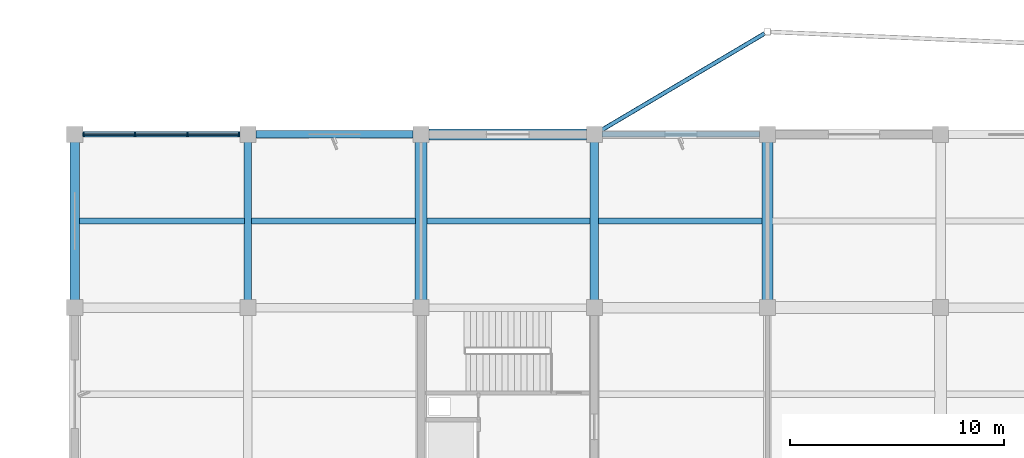
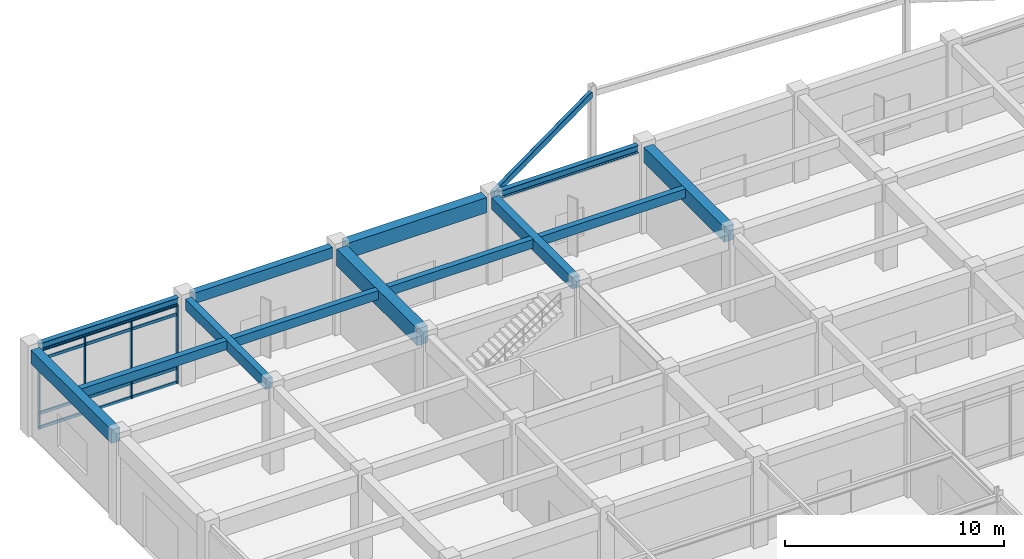
# One storey, part 45 of 99: 14 beams, 8 members, 1 element without a shape of its own.
"""IFC4 building model written with IfcOpenShell, lengths in metres."""

from ifc_helpers import new_model, si_unit, direction, frame, origin, origin_2d, place, context, subcontext, project, spatial, rectangle, hollow_rectangle, i_section, extrude, material, layer, layer_set, material_profile, profile_set, type_object, element, aggregate, save


model = new_model("IFC4")

# Units and contexts
model_context = context("Model", 3, precision=1e-05, world=origin(), true_north=direction((0.0, 1.0)))
body_context = subcontext(model_context, "Body", "Model", "MODEL_VIEW")
ifc_project = project(units=[si_unit("LENGTHUNIT", "METRE"), si_unit("AREAUNIT", "SQUARE_METRE"), si_unit("VOLUMEUNIT", "CUBIC_METRE"), si_unit("PLANEANGLEUNIT", "RADIAN"), si_unit("MASSUNIT", "GRAM", prefix="KILO")], contexts=[model_context])

# Site, building, storey
site_placement = place(None, origin())
site = spatial("IfcSite", under=ifc_project, at=site_placement, CompositionType="ELEMENT")
building_placement = place(site_placement, origin())
building = spatial("IfcBuilding", under=site, at=building_placement, Name="Vaudrelin Polytechnic", CompositionType="ELEMENT")
storey_placement = place(building_placement, origin())
storey = spatial("IfcBuildingStorey", under=building, at=storey_placement, Name="L00", CompositionType="ELEMENT", Elevation=0.0)

# Beams
ifc_material_1 = material(Name="Concrete 40 MPa", Category="concrete")
ifc_material_profile_1 = material_profile(ifc_material_1, rectangle(XDim=0.35009765625, YDim=0.60009765625, at=origin_2d()), Name="RC350x600")
ifc_profile_set_1 = profile_set([ifc_material_profile_1], Name="Concrete 40 MPa")
beam_type_1 = type_object("IfcBeamType", Name="BM-BM-RC3560", PredefinedType="BEAM", material=ifc_profile_set_1)
beam_1_placement = place(storey_placement, frame((8.10009765625, 113.760009765625, 4.52001953125), z_axis=(0.0, 1.0, 0.0), x_axis=(-1.0, 0.0, 0.0)))
element("IfcBeam", 1, at=beam_1_placement, inside=storey, type_object=beam_type_1, Name="L00 Y-beam 2-15", PredefinedType="BEAM", context=body_context, shape_type="SweptSolid", body=[
    extrude(rectangle(XDim=0.35009765625, YDim=0.60009765625, at=origin_2d()), origin(), (0.0, 0.0, 1.0), 7.3798828125),
])
beam_2_placement = place(storey_placement, frame((8.470947265625, 121.5, 4.52001953125), z_axis=(1.0, 0.0, 0.0), x_axis=(0.0, 1.0, 0.0)))
element("IfcBeam", 2, at=beam_2_placement, inside=storey, type_object=beam_type_1, Name="L00 X-beam 2-16", PredefinedType="BEAM", context=body_context, shape_type="SweptSolid", body=[
    extrude(rectangle(XDim=0.35009765625, YDim=0.60009765625, at=origin_2d()), origin(), (0.0, 0.0, 1.0), 7.358154296875),
])
ifc_material_profile_2 = material_profile(ifc_material_1, rectangle(XDim=0.39990234375, YDim=0.64990234375, at=origin_2d()), Name="RC400x650")
ifc_profile_set_2 = profile_set([ifc_material_profile_2], Name="Concrete 40 MPa")
beam_type_2 = type_object("IfcBeamType", Name="BM-BM-RC4065", PredefinedType="BEAM", material=ifc_profile_set_2)
beam_3_placement = place(storey_placement, frame((24.300048828125, 113.760009765625, 4.4951171875), z_axis=(0.0, 1.0, 0.0), x_axis=(-1.0, 0.0, 0.0)))
element("IfcBeam", 3, at=beam_3_placement, inside=storey, type_object=beam_type_2, Name="L00 Y-beam 4-15", PredefinedType="BEAM", context=body_context, shape_type="SweptSolid", body=[
    extrude(rectangle(XDim=0.39990234375, YDim=0.64990234375, at=origin_2d()), origin(), (0.0, 0.0, 1.0), 7.3798828125),
])
ifc_material_profile_3 = material_profile(ifc_material_1, rectangle(XDim=0.449951171875, YDim=0.75, at=origin_2d()), Name="RC450x750")
ifc_profile_set_3 = profile_set([ifc_material_profile_3], Name="Concrete 40 MPa")
beam_type_3 = type_object("IfcBeamType", Name="BM-BM-RC4575", PredefinedType="BEAM", material=ifc_profile_set_3)
beam_4_placement = place(storey_placement, frame((0.0, 113.760009765625, 4.445068359375), z_axis=(0.0, 1.0, 0.0), x_axis=(-1.0, 0.0, 0.0)))
element("IfcBeam", 4, at=beam_4_placement, inside=storey, type_object=beam_type_3, Name="L00 Y-beam 1-15", PredefinedType="BEAM", context=body_context, shape_type="SweptSolid", body=[
    extrude(rectangle(XDim=0.449951171875, YDim=0.75, at=origin_2d()), origin(), (0.0, 0.0, 1.0), 7.3798828125),
])
ifc_material_profile_4 = material_profile(ifc_material_1, rectangle(XDim=0.5, YDim=0.85009765625, at=origin_2d()), Name="RC500x850")
ifc_profile_set_4 = profile_set([ifc_material_profile_4], Name="Concrete 40 MPa")
beam_type_4 = type_object("IfcBeamType", Name="BM-BM-RC5085", PredefinedType="BEAM", material=ifc_profile_set_4)
beam_5_placement = place(storey_placement, frame((32.39990234375, 113.760009765625, 4.39501953125), z_axis=(0.0, 1.0, 0.0), x_axis=(-1.0, 0.0, 0.0)))
element("IfcBeam", 5, at=beam_5_placement, inside=storey, type_object=beam_type_4, Name="L00 Y-beam 5-15", PredefinedType="BEAM", context=body_context, shape_type="SweptSolid", body=[
    extrude(rectangle(XDim=0.5, YDim=0.85009765625, at=origin_2d()), origin(), (0.0, 0.0, 1.0), 7.3798828125),
])
beam_6_placement = place(storey_placement, frame((16.571044921875, 121.5, 4.39501953125), z_axis=(1.0, 0.0, 0.0), x_axis=(0.0, 1.0, 0.0)))
element("IfcBeam", 6, at=beam_6_placement, inside=storey, type_object=beam_type_4, Name="L00 X-beam 3-16", PredefinedType="BEAM", context=body_context, shape_type="SweptSolid", body=[
    extrude(rectangle(XDim=0.5, YDim=0.85009765625, at=origin_2d()), origin(), (0.0, 0.0, 1.0), 7.35791015625),
])
ifc_material_2 = material(Name="Concrete 50 MPa", Category="concrete")
ifc_material_profile_5 = material_profile(ifc_material_2, rectangle(XDim=0.550048828125, YDim=0.949951171875, at=origin_2d()), Name="RC550x950")
ifc_profile_set_5 = profile_set([ifc_material_profile_5], Name="Concrete 50 MPa")
beam_type_5 = type_object("IfcBeamType", Name="BM-BM-RC5595", PredefinedType="BEAM", material=ifc_profile_set_5)
beam_7_placement = place(storey_placement, frame((16.199951171875, 113.760009765625, 4.344970703125), z_axis=(0.0, 1.0, 0.0), x_axis=(-1.0, 0.0, 0.0)))
element("IfcBeam", 7, at=beam_7_placement, inside=storey, type_object=beam_type_5, Name="L00 Y-beam 3-15", PredefinedType="BEAM", context=body_context, shape_type="SweptSolid", body=[
    extrude(rectangle(XDim=0.550048828125, YDim=0.949951171875, at=origin_2d()), origin(), (0.0, 0.0, 1.0), 7.3798828125),
])
ifc_material_3 = material(Name="Steel CSA G40.21 350WT", Category="steel")
ifc_material_profile_6 = material_profile(ifc_material_3, i_section(OverallWidth=0.260009765625, OverallDepth=0.4150390625, WebThickness=0.010009765625, FlangeThickness=0.016845703125, FilletRadius=0.01611328125, at=origin_2d()), Name="W410x100")
ifc_profile_set_6 = profile_set([ifc_material_profile_6], Name="Steel CSA G40.21 350WT")
beam_type_6 = type_object("IfcBeamType", Name="BM-BM-W410H", PredefinedType="SPANDREL", material=ifc_profile_set_6)
beam_8_placement = place(storey_placement, frame((0.37109375, 121.5, 4.612548828125), z_axis=(1.0, 0.0, 0.0), x_axis=(0.0, 1.0, 0.0)))
element("IfcBeam", 8, at=beam_8_placement, inside=storey, type_object=beam_type_6, Name="L00 X-beam 1-16", PredefinedType="SPANDREL", context=body_context, shape_type="SweptSolid", body=[
    extrude(i_section(OverallWidth=0.260009765625, OverallDepth=0.4150390625, WebThickness=0.010009765625, FlangeThickness=0.016845703125, FilletRadius=0.01611328125, at=origin_2d()), origin(), (0.0, 0.0, 1.0), 7.35791015625),
])
beam_9_placement = place(storey_placement, frame((24.6708984375, 121.5, 4.612548828125), z_axis=(1.0, 0.0, 0.0), x_axis=(0.0, 1.0, 0.0)))
element("IfcBeam", 9, at=beam_9_placement, inside=storey, type_object=beam_type_6, Name="L00 X-beam 4-16", PredefinedType="SPANDREL", context=body_context, shape_type="SweptSolid", body=[
    extrude(i_section(OverallWidth=0.260009765625, OverallDepth=0.4150390625, WebThickness=0.010009765625, FlangeThickness=0.016845703125, FilletRadius=0.01611328125, at=origin_2d()), origin(), (0.0, 0.0, 1.0), 7.358154296875),
])
ifc_material_profile_7 = material_profile(ifc_material_1, rectangle(XDim=0.300048828125, YDim=0.5, at=origin_2d()), Name="RC300x500")
ifc_profile_set_7 = profile_set([ifc_material_profile_7], Name="Concrete 40 MPa")
beam_type_7 = type_object("IfcBeamType", Name="BM-JS-RC3050", PredefinedType="JOIST", material=ifc_profile_set_7)
beam_10_placement = place(storey_placement, frame((0.220947265625, 117.449951171875, 4.570068359375), z_axis=(1.0, 0.0, 0.0), x_axis=(0.0, 1.0, 0.0)))
element("IfcBeam", 10, at=beam_10_placement, inside=storey, type_object=beam_type_7, Name="L00 floor joist 1-15", PredefinedType="JOIST", context=body_context, shape_type="SweptSolid", body=[
    extrude(rectangle(XDim=0.300048828125, YDim=0.5, at=origin_2d()), origin(), (0.0, 0.0, 1.0), 7.7080078125),
])
beam_11_placement = place(storey_placement, frame((8.27099609375, 117.449951171875, 4.570068359375), z_axis=(1.0, 0.0, 0.0), x_axis=(0.0, 1.0, 0.0)))
element("IfcBeam", 11, at=beam_11_placement, inside=storey, type_object=beam_type_7, Name="L00 floor joist 2-15", PredefinedType="JOIST", context=body_context, shape_type="SweptSolid", body=[
    extrude(rectangle(XDim=0.300048828125, YDim=0.5, at=origin_2d()), origin(), (0.0, 0.0, 1.0), 7.657958984375),
])
beam_12_placement = place(storey_placement, frame((16.470947265625, 117.449951171875, 4.570068359375), z_axis=(1.0, 0.0, 0.0), x_axis=(0.0, 1.0, 0.0)))
element("IfcBeam", 12, at=beam_12_placement, inside=storey, type_object=beam_type_7, Name="L00 floor joist 3-15", PredefinedType="JOIST", context=body_context, shape_type="SweptSolid", body=[
    extrude(rectangle(XDim=0.300048828125, YDim=0.5, at=origin_2d()), origin(), (0.0, 0.0, 1.0), 7.633056640625),
])
beam_13_placement = place(storey_placement, frame((24.49609375, 117.449951171875, 4.570068359375), z_axis=(1.0, 0.0, 0.0), x_axis=(0.0, 1.0, 0.0)))
element("IfcBeam", 13, at=beam_13_placement, inside=storey, type_object=beam_type_7, Name="L00 floor joist 4-15", PredefinedType="JOIST", context=body_context, shape_type="SweptSolid", body=[
    extrude(rectangle(XDim=0.300048828125, YDim=0.5, at=origin_2d()), origin(), (0.0, 0.0, 1.0), 7.657958984375),
])
ifc_material_profile_8 = material_profile(ifc_material_3, hollow_rectangle(XDim=0.202880859375, YDim=0.35595703125, WallThickness=0.0126953125, InnerFilletRadius=0.0126953125, OuterFilletRadius=0.025390625, at=origin_2d()), Name="HSS356x203x12.7")
ifc_profile_set_8 = profile_set([ifc_material_profile_8], Name="Steel CSA G40.21 350WT")
beam_type_8 = type_object("IfcBeamType", Name="BM-SP-HSS35", PredefinedType="SPANDREL", material=ifc_profile_set_8)
beam_14_placement = place(storey_placement, frame((24.42041015625, 121.5712890625, 4.64208984375), z_axis=(0.860293270053, 0.509799460083, 0.0), x_axis=(-0.509799460083, 0.860293270053, 0.0)))
element("IfcBeam", 14, at=beam_14_placement, inside=storey, type_object=beam_type_8, Name="Sculptural edge beam L00 N_OR1_B1", PredefinedType="SPANDREL", context=body_context, shape_type="SweptSolid", body=[
    extrude(hollow_rectangle(XDim=0.202880859375, YDim=0.35595703125, WallThickness=0.0126953125, InnerFilletRadius=0.0126953125, OuterFilletRadius=0.025390625, at=origin_2d()), origin(), (0.0, 0.0, 1.0), 9.135498046875),
])

# Curtain wall, members
ifc_material_4 = material(Name="Thermally broken anodised aluminium AA 6063-T6 and low-e triple glazing", Category="aluminium")
ifc_layer = layer(ifc_material_4, 0.199951171875)
ifc_layer_set = layer_set([ifc_layer], Name="Thermally broken anodised aluminium AA 6063-T6 and low-e triple glazing")
curtain_wall_type = type_object("IfcCurtainWallType", Name="CW-CW-STU", PredefinedType="USERDEFINED", material=ifc_layer_set)
curtain_wall_placement = place(storey_placement, origin())
curtain_wall = element("IfcCurtainWall", 15, at=curtain_wall_placement, inside=storey, type_object=curtain_wall_type, Name="Curtain wall L00 N_V5_00", ObjectType="CURTAIN WALL", PredefinedType="USERDEFINED")
ifc_material_5 = material(Name="Anodised aluminium AA 6063-T6", Category="aluminium")
ifc_material_profile_9 = material_profile(ifc_material_5, rectangle(XDim=0.06494140625, YDim=0.179931640625, at=origin_2d()), Name="CWM-65x180")
ifc_profile_set_9 = profile_set([ifc_material_profile_9], Name="Anodised aluminium AA 6063-T6")
member_type_1 = type_object("IfcMemberType", Name="MEM-CWM-180", PredefinedType="MULLION", material=ifc_profile_set_9)
member_1_placement = place(storey_placement, frame((0.4130859375, 121.5, 0.0), z_axis=(0.0, 0.0, 1.0), x_axis=(1.0, 0.0, 0.0)))
member_1 = element("IfcMember", 16, at=member_1_placement, type_object=member_type_1, Name="N_V5_00 mullion 1", PredefinedType="MULLION", context=body_context, shape_type="SweptSolid", body=[
    extrude(rectangle(XDim=0.06494140625, YDim=0.179931640625, at=origin_2d()), origin(), (0.0, 0.0, 1.0), 4.406982421875),
])
member_2_placement = place(storey_placement, frame((2.82421875, 121.5, 0.0), z_axis=(0.0, 0.0, 1.0), x_axis=(1.0, 0.0, 0.0)))
member_2 = element("IfcMember", 17, at=member_2_placement, type_object=member_type_1, Name="N_V5_00 mullion 2", PredefinedType="MULLION", context=body_context, shape_type="SweptSolid", body=[
    extrude(rectangle(XDim=0.06494140625, YDim=0.179931640625, at=origin_2d()), origin(), (0.0, 0.0, 1.0), 4.406982421875),
])
member_3_placement = place(storey_placement, frame((5.275634765625, 121.5, 0.0), z_axis=(0.0, 0.0, 1.0), x_axis=(1.0, 0.0, 0.0)))
member_3 = element("IfcMember", 18, at=member_3_placement, type_object=member_type_1, Name="N_V5_00 mullion 3", PredefinedType="MULLION", context=body_context, shape_type="SweptSolid", body=[
    extrude(rectangle(XDim=0.06494140625, YDim=0.179931640625, at=origin_2d()), origin(), (0.0, 0.0, 1.0), 4.406982421875),
])
member_4_placement = place(storey_placement, frame((7.68701171875, 121.5, 0.0), z_axis=(0.0, 0.0, 1.0), x_axis=(1.0, 0.0, 0.0)))
member_4 = element("IfcMember", 19, at=member_4_placement, type_object=member_type_1, Name="N_V5_00 mullion 4", PredefinedType="MULLION", context=body_context, shape_type="SweptSolid", body=[
    extrude(rectangle(XDim=0.06494140625, YDim=0.179931640625, at=origin_2d()), origin(), (0.0, 0.0, 1.0), 4.406982421875),
])
ifc_material_profile_10 = material_profile(ifc_material_5, rectangle(XDim=0.074951171875, YDim=0.1650390625, at=origin_2d()), Name="CWT-75x165")
ifc_profile_set_10 = profile_set([ifc_material_profile_10], Name="Anodised aluminium AA 6063-T6")
member_type_2 = type_object("IfcMemberType", Name="MEM-CWT-165", PredefinedType="USERDEFINED", material=ifc_profile_set_10)
member_5_placement = place(storey_placement, frame((0.373046875, 121.5, 0.050048828125), z_axis=(1.0, 0.0, 0.0), x_axis=(0.0, 1.0, 0.0)))
member_5 = element("IfcMember", 20, at=member_5_placement, type_object=member_type_2, Name="N_V5_00 transom 1", ObjectType="TRANSOM", PredefinedType="USERDEFINED", context=body_context, shape_type="SweptSolid", body=[
    extrude(rectangle(XDim=0.074951171875, YDim=0.1650390625, at=origin_2d()), origin(), (0.0, 0.0, 1.0), 7.35400390625),
])
member_6_placement = place(storey_placement, frame((0.373046875, 121.5, 0.85009765625), z_axis=(1.0, 0.0, 0.0), x_axis=(0.0, 1.0, 0.0)))
member_6 = element("IfcMember", 21, at=member_6_placement, type_object=member_type_2, Name="N_V5_00 transom 2", ObjectType="TRANSOM", PredefinedType="USERDEFINED", context=body_context, shape_type="SweptSolid", body=[
    extrude(rectangle(XDim=0.074951171875, YDim=0.1650390625, at=origin_2d()), origin(), (0.0, 0.0, 1.0), 7.35400390625),
])
member_7_placement = place(storey_placement, frame((0.373046875, 121.5, 3.85693359375), z_axis=(1.0, 0.0, 0.0), x_axis=(0.0, 1.0, 0.0)))
member_7 = element("IfcMember", 22, at=member_7_placement, type_object=member_type_2, Name="N_V5_00 transom 3", ObjectType="TRANSOM", PredefinedType="USERDEFINED", context=body_context, shape_type="SweptSolid", body=[
    extrude(rectangle(XDim=0.074951171875, YDim=0.1650390625, at=origin_2d()), origin(), (0.0, 0.0, 1.0), 7.35400390625),
])
member_8_placement = place(storey_placement, frame((0.373046875, 121.5, 4.35693359375), z_axis=(1.0, 0.0, 0.0), x_axis=(0.0, 1.0, 0.0)))
member_8 = element("IfcMember", 23, at=member_8_placement, type_object=member_type_2, Name="N_V5_00 transom 4", ObjectType="TRANSOM", PredefinedType="USERDEFINED", context=body_context, shape_type="SweptSolid", body=[
    extrude(rectangle(XDim=0.074951171875, YDim=0.1650390625, at=origin_2d()), origin(), (0.0, 0.0, 1.0), 7.35400390625),
])
aggregate(curtain_wall, [member_1, member_2, member_3, member_4, member_5, member_6, member_7, member_8])

save(model, "model.ifc")
